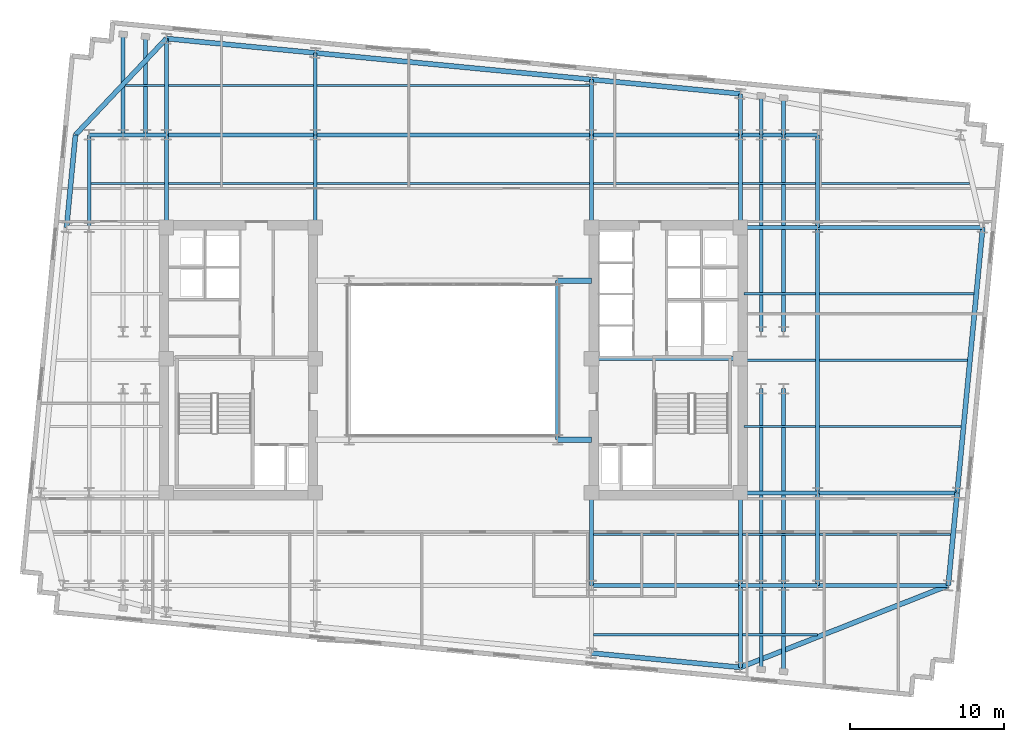
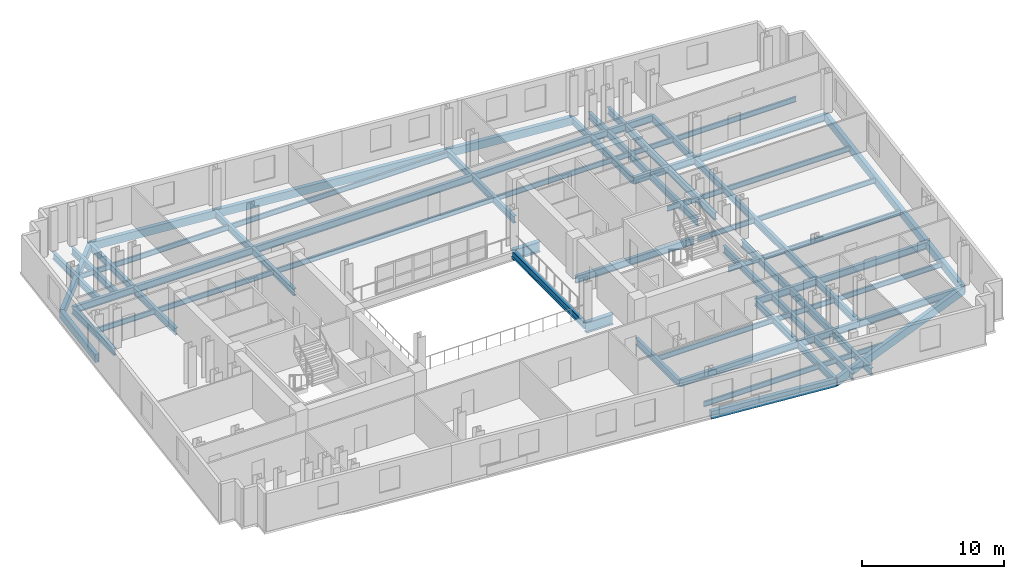
# One storey, part 3 of 10: 70 beams.
"""IFC4 building model written with IfcOpenShell, lengths in metres."""

from ifc_helpers import new_model, si_unit, direction, frame, origin, origin_2d, place, context, subcontext, project, spatial, rectangle, i_section, extrude, material, material_profile, profile_set, type_object, element, save


model = new_model("IFC4")

# Units and contexts
model_context = context("Model", 3, precision=1e-05, world=origin(), true_north=direction((0.0, 1.0)))
body_context = subcontext(model_context, "Body", "Model", "MODEL_VIEW")
ifc_project = project(units=[si_unit("LENGTHUNIT", "METRE"), si_unit("AREAUNIT", "SQUARE_METRE"), si_unit("VOLUMEUNIT", "CUBIC_METRE"), si_unit("PLANEANGLEUNIT", "RADIAN"), si_unit("MASSUNIT", "GRAM", prefix="KILO")], contexts=[model_context])

# Site, building, storey
site_placement = place(None, origin())
site = spatial("IfcSite", under=ifc_project, at=site_placement, CompositionType="ELEMENT")
building_placement = place(site_placement, origin())
building = spatial("IfcBuilding", under=site, at=building_placement, Name="Velakula Bourse", CompositionType="ELEMENT")
storey_placement = place(building_placement, frame((0.0, 0.0, 174.199951171875)))
storey = spatial("IfcBuildingStorey", under=building, at=storey_placement, Name="L47", CompositionType="ELEMENT", Elevation=174.199951171875)

# Beams
ifc_material_1 = material(Name="Steel IS 2062 Grade 350 (E350)", Category="steel")
ifc_material_profile_1 = material_profile(ifc_material_1, i_section(OverallWidth=0.25, OverallDepth=0.60009765625, WebThickness=0.01123046875, FlangeThickness=0.021240234375, at=origin_2d()), Name="Steel IS 2062 Grade 350 (E350)")
ifc_profile_set_1 = profile_set([ifc_material_profile_1], Name="Steel IS 2062 Grade 350 (E350)")
beam_type_1 = type_object("IfcBeamType", Name="BM-GRD-600M", PredefinedType="BEAM", material=ifc_profile_set_1)
beam_1_placement = place(storey_placement, frame((8.949951171875, 0.10009765625, -0.47998046875), z_axis=(1.0, 0.0, 0.0), x_axis=(0.0, 1.0, 0.0)))
element("IfcBeam", 1, at=beam_1_placement, inside=storey, type_object=beam_type_1, Name="L47 Primary Backbone Girder CRE-M", PredefinedType="BEAM", context=body_context, shape_type="SweptSolid", body=[
    extrude(i_section(OverallWidth=0.25, OverallDepth=0.60009765625, WebThickness=0.01123046875, FlangeThickness=0.021240234375, at=origin_2d()), origin(), (0.0, 0.0, 1.0), 9.650146484375),
])
beam_2_placement = place(storey_placement, frame((6.75, -5.14990234375, -0.47998046875), z_axis=(0.0, 1.0, 0.0), x_axis=(-1.0, 0.0, 0.0)))
element("IfcBeam", 2, at=beam_2_placement, inside=storey, type_object=beam_type_1, Name="L47 Primary Backbone Girder SPN-E", PredefinedType="BEAM", context=body_context, shape_type="SweptSolid", body=[
    extrude(i_section(OverallWidth=0.25, OverallDepth=0.60009765625, WebThickness=0.01123046875, FlangeThickness=0.021240234375, at=origin_2d()), origin(), (0.0, 0.0, 1.0), 10.2998046875),
])
for number, where, z_axis, x_axis, name in (
    (3, (-18.60009765625, 8.60009765625, -0.47998046875), (0.0, 1.0, 0.0), (-1.0, 0.0, 0.0), "L47 Fulcrum Grid Girder FLC-WN"),
    (4, (-8.949951171875, 8.60009765625, -0.47998046875), (0.0, 1.0, 0.0), (-1.0, 0.0, 0.0), "L47 Fulcrum Grid Girder FLC-WCN"),
    (5, (8.949951171875, -14.60009765625, -0.47998046875), (0.0, 1.0, 0.0), (-1.0, 0.0, 0.0), "L47 Fulcrum Grid Girder FLC-ECS"),
    (6, (8.949951171875, 8.60009765625, -0.47998046875), (0.0, 1.0, 0.0), (-1.0, 0.0, 0.0), "L47 Fulcrum Grid Girder FLC-ECN"),
    (7, (18.60009765625, -14.60009765625, -0.47998046875), (0.0, 1.0, 0.0), (-1.0, 0.0, 0.0), "L47 Fulcrum Grid Girder FLC-ES"),
    (8, (18.60009765625, 8.60009765625, -0.47998046875), (0.0, 1.0, 0.0), (-1.0, 0.0, 0.0), "L47 Fulcrum Grid Girder FLC-EN"),
):
    element("IfcBeam", number, at=place(storey_placement, frame(where, z_axis=z_axis, x_axis=x_axis)), inside=storey, type_object=beam_type_1, Name=name, PredefinedType="BEAM", context=body_context, shape_type="SweptSolid", body=[
        extrude(i_section(OverallWidth=0.25, OverallDepth=0.60009765625, WebThickness=0.01123046875, FlangeThickness=0.021240234375, at=origin_2d()), origin(), (0.0, 0.0, 1.0), 6.0),
    ])
for number, where, z_axis, x_axis, name in (
    (9, (8.949951171875, -14.60009765625, -0.47998046875), (1.0, 0.0, 0.0), (0.0, 1.0, 0.0), "L47 Fulcrum Grid Girder FLC-S3"),
    (10, (-18.60009765625, 14.60009765625, -0.47998046875), (1.0, 0.0, 0.0), (0.0, 1.0, 0.0), "L47 Fulcrum Grid Girder FLC-N1"),
):
    element("IfcBeam", number, at=place(storey_placement, frame(where, z_axis=z_axis, x_axis=x_axis)), inside=storey, type_object=beam_type_1, Name=name, PredefinedType="BEAM", context=body_context, shape_type="SweptSolid", body=[
        extrude(i_section(OverallWidth=0.25, OverallDepth=0.60009765625, WebThickness=0.01123046875, FlangeThickness=0.021240234375, at=origin_2d()), origin(), (0.0, 0.0, 1.0), 9.650146484375),
    ])
beam_3_placement = place(storey_placement, frame((-8.949951171875, 14.60009765625, -0.47998046875), z_axis=(1.0, 0.0, 0.0), x_axis=(0.0, 1.0, 0.0)))
element("IfcBeam", 11, at=beam_3_placement, inside=storey, type_object=beam_type_1, Name="L47 Fulcrum Grid Girder FLC-N2", PredefinedType="BEAM", context=body_context, shape_type="SweptSolid", body=[
    extrude(i_section(OverallWidth=0.25, OverallDepth=0.60009765625, WebThickness=0.01123046875, FlangeThickness=0.021240234375, at=origin_2d()), origin(), (0.0, 0.0, 1.0), 17.89990234375),
])
beam_4_placement = place(storey_placement, frame((8.949951171875, 14.60009765625, -0.47998046875), z_axis=(1.0, 0.0, 0.0), x_axis=(0.0, 1.0, 0.0)))
element("IfcBeam", 12, at=beam_4_placement, inside=storey, type_object=beam_type_1, Name="L47 Fulcrum Grid Girder FLC-N3", PredefinedType="BEAM", context=body_context, shape_type="SweptSolid", body=[
    extrude(i_section(OverallWidth=0.25, OverallDepth=0.60009765625, WebThickness=0.01123046875, FlangeThickness=0.021240234375, at=origin_2d()), origin(), (0.0, 0.0, 1.0), 9.650146484375),
])
for number, where, z_axis, x_axis, name in (
    (13, (19.949951171875, -14.60009765625, -0.47998046875), (0.0, 1.0, 0.0), (-1.0, 0.0, 0.0), "L47 Fulcrum Grid Girder FLC-PSE1"),
    (14, (19.949951171875, 1.85009765625, -0.47998046875), (0.0, 1.0, 0.0), (-1.0, 0.0, 0.0), "L47 Fulcrum Grid Girder FLC-PNE1"),
    (15, (21.39990234375, -14.60009765625, -0.47998046875), (0.0, 1.0, 0.0), (-1.0, 0.0, 0.0), "L47 Fulcrum Grid Girder FLC-PSE2"),
    (16, (21.39990234375, 1.85009765625, -0.47998046875), (0.0, 1.0, 0.0), (-1.0, 0.0, 0.0), "L47 Fulcrum Grid Girder FLC-PNE2"),
):
    element("IfcBeam", number, at=place(storey_placement, frame(where, z_axis=z_axis, x_axis=x_axis)), inside=storey, type_object=beam_type_1, Name=name, PredefinedType="BEAM", context=body_context, shape_type="SweptSolid", body=[
        extrude(i_section(OverallWidth=0.25, OverallDepth=0.60009765625, WebThickness=0.01123046875, FlangeThickness=0.021240234375, at=origin_2d()), origin(), (0.0, 0.0, 1.0), 12.75),
    ])
beam_5_placement = place(storey_placement, frame((-23.60009765625, 14.60009765625, -0.47998046875), z_axis=(1.0, 0.0, 0.0), x_axis=(0.0, 1.0, 0.0)))
element("IfcBeam", 17, at=beam_5_placement, inside=storey, type_object=beam_type_1, Name="L47 Fulcrum Grid Girder MWG-WN2", PredefinedType="BEAM", context=body_context, shape_type="SweptSolid", body=[
    extrude(i_section(OverallWidth=0.25, OverallDepth=0.60009765625, WebThickness=0.01123046875, FlangeThickness=0.021240234375, at=origin_2d()), origin(), (0.0, 0.0, 1.0), 5.0),
])
beam_6_placement = place(storey_placement, frame((-23.60009765625, 8.60009765625, -0.47998046875), z_axis=(0.0, 1.0, 0.0), x_axis=(-1.0, 0.0, 0.0)))
element("IfcBeam", 18, at=beam_6_placement, inside=storey, type_object=beam_type_1, Name="L47 Fulcrum Grid Girder MWG-WNS3", PredefinedType="BEAM", context=body_context, shape_type="SweptSolid", body=[
    extrude(i_section(OverallWidth=0.25, OverallDepth=0.60009765625, WebThickness=0.01123046875, FlangeThickness=0.021240234375, at=origin_2d()), origin(), (0.0, 0.0, 1.0), 6.0),
])
for number, where, z_axis, x_axis, name in (
    (19, (18.60009765625, -14.60009765625, -0.47998046875), (1.0, 0.0, 0.0), (0.0, 1.0, 0.0), "L47 Fulcrum Grid Girder MWG-ES1"),
    (20, (18.60009765625, -8.60009765625, -0.47998046875), (1.0, 0.0, 0.0), (0.0, 1.0, 0.0), "L47 Fulcrum Grid Girder MWG-ES2"),
    (21, (18.60009765625, 8.60009765625, -0.47998046875), (1.0, 0.0, 0.0), (0.0, 1.0, 0.0), "L47 Fulcrum Grid Girder MWG-EN1"),
    (22, (18.60009765625, 14.60009765625, -0.47998046875), (1.0, 0.0, 0.0), (0.0, 1.0, 0.0), "L47 Fulcrum Grid Girder MWG-EN2"),
):
    element("IfcBeam", number, at=place(storey_placement, frame(where, z_axis=z_axis, x_axis=x_axis)), inside=storey, type_object=beam_type_1, Name=name, PredefinedType="BEAM", context=body_context, shape_type="SweptSolid", body=[
        extrude(i_section(OverallWidth=0.25, OverallDepth=0.60009765625, WebThickness=0.01123046875, FlangeThickness=0.021240234375, at=origin_2d()), origin(), (0.0, 0.0, 1.0), 5.0),
    ])
beam_7_placement = place(storey_placement, frame((23.60009765625, -14.60009765625, -0.47998046875), z_axis=(0.0, 1.0, 0.0), x_axis=(-1.0, 0.0, 0.0)))
element("IfcBeam", 23, at=beam_7_placement, inside=storey, type_object=beam_type_1, Name="L47 Fulcrum Grid Girder MWG-ENS1", PredefinedType="BEAM", context=body_context, shape_type="SweptSolid", body=[
    extrude(i_section(OverallWidth=0.25, OverallDepth=0.60009765625, WebThickness=0.01123046875, FlangeThickness=0.021240234375, at=origin_2d()), origin(), (0.0, 0.0, 1.0), 6.0),
])
beam_8_placement = place(storey_placement, frame((23.60009765625, -8.60009765625, -0.47998046875), z_axis=(0.0, 1.0, 0.0), x_axis=(-1.0, 0.0, 0.0)))
element("IfcBeam", 24, at=beam_8_placement, inside=storey, type_object=beam_type_1, Name="L47 Fulcrum Grid Girder MWG-ENS2", PredefinedType="BEAM", context=body_context, shape_type="SweptSolid", body=[
    extrude(i_section(OverallWidth=0.25, OverallDepth=0.60009765625, WebThickness=0.01123046875, FlangeThickness=0.021240234375, at=origin_2d()), origin(), (0.0, 0.0, 1.0), 17.2001953125),
])
beam_9_placement = place(storey_placement, frame((23.60009765625, 8.60009765625, -0.47998046875), z_axis=(0.0, 1.0, 0.0), x_axis=(-1.0, 0.0, 0.0)))
element("IfcBeam", 25, at=beam_9_placement, inside=storey, type_object=beam_type_1, Name="L47 Fulcrum Grid Girder MWG-ENS3", PredefinedType="BEAM", context=body_context, shape_type="SweptSolid", body=[
    extrude(i_section(OverallWidth=0.25, OverallDepth=0.60009765625, WebThickness=0.01123046875, FlangeThickness=0.021240234375, at=origin_2d()), origin(), (0.0, 0.0, 1.0), 6.0),
])
beam_10_placement = place(storey_placement, frame((18.60009765625, -14.60009765625, -0.47998046875), z_axis=(0.0, -1.0, 0.0), x_axis=(1.0, 0.0, 0.0)))
element("IfcBeam", 26, at=beam_10_placement, inside=storey, type_object=beam_type_1, Name="L47 Perimeter Tie Girder S4", PredefinedType="BEAM", context=body_context, shape_type="SweptSolid", body=[
    extrude(i_section(OverallWidth=0.25, OverallDepth=0.60009765625, WebThickness=0.01123046875, FlangeThickness=0.021240234375, at=origin_2d()), origin(), (0.0, 0.0, 1.0), 5.310546875),
])
beam_11_placement = place(storey_placement, frame((-18.60009765625, 14.60009765625, -0.47998046875), z_axis=(0.0, 1.0, 0.0), x_axis=(-1.0, 0.0, 0.0)))
element("IfcBeam", 27, at=beam_11_placement, inside=storey, type_object=beam_type_1, Name="L47 Perimeter Tie Girder N1", PredefinedType="BEAM", context=body_context, shape_type="SweptSolid", body=[
    extrude(i_section(OverallWidth=0.25, OverallDepth=0.60009765625, WebThickness=0.01123046875, FlangeThickness=0.021240234375, at=origin_2d()), origin(), (0.0, 0.0, 1.0), 6.2421875),
])
beam_12_placement = place(storey_placement, frame((-8.949951171875, 14.60009765625, -0.47998046875), z_axis=(0.0, 1.0, 0.0), x_axis=(-1.0, 0.0, 0.0)))
element("IfcBeam", 28, at=beam_12_placement, inside=storey, type_object=beam_type_1, Name="L47 Perimeter Tie Girder N2", PredefinedType="BEAM", context=body_context, shape_type="SweptSolid", body=[
    extrude(i_section(OverallWidth=0.25, OverallDepth=0.60009765625, WebThickness=0.01123046875, FlangeThickness=0.021240234375, at=origin_2d()), origin(), (0.0, 0.0, 1.0), 5.31298828125),
])
beam_13_placement = place(storey_placement, frame((8.949951171875, 14.60009765625, -0.47998046875), z_axis=(0.0, 1.0, 0.0), x_axis=(-1.0, 0.0, 0.0)))
element("IfcBeam", 29, at=beam_13_placement, inside=storey, type_object=beam_type_1, Name="L47 Perimeter Tie Girder N3", PredefinedType="BEAM", context=body_context, shape_type="SweptSolid", body=[
    extrude(i_section(OverallWidth=0.25, OverallDepth=0.60009765625, WebThickness=0.01123046875, FlangeThickness=0.021240234375, at=origin_2d()), origin(), (0.0, 0.0, 1.0), 3.589599609375),
])
beam_14_placement = place(storey_placement, frame((18.60009765625, 14.60009765625, -0.47998046875), z_axis=(0.0, 1.0, 0.0), x_axis=(-1.0, 0.0, 0.0)))
element("IfcBeam", 30, at=beam_14_placement, inside=storey, type_object=beam_type_1, Name="L47 Perimeter Tie Girder N4", PredefinedType="BEAM", context=body_context, shape_type="SweptSolid", body=[
    extrude(i_section(OverallWidth=0.25, OverallDepth=0.60009765625, WebThickness=0.01123046875, FlangeThickness=0.021240234375, at=origin_2d()), origin(), (0.0, 0.0, 1.0), 2.660400390625),
])
beam_15_placement = place(storey_placement, frame((23.60009765625, -14.60009765625, -0.47998046875), z_axis=(1.0, 0.0, 0.0), x_axis=(0.0, 1.0, 0.0)))
element("IfcBeam", 31, at=beam_15_placement, inside=storey, type_object=beam_type_1, Name="L47 Perimeter Tie Girder E1", PredefinedType="BEAM", context=body_context, shape_type="SweptSolid", body=[
    extrude(i_section(OverallWidth=0.25, OverallDepth=0.60009765625, WebThickness=0.01123046875, FlangeThickness=0.021240234375, at=origin_2d()), origin(), (0.0, 0.0, 1.0), 8.47119140625),
])
beam_16_placement = place(storey_placement, frame((23.60009765625, -8.60009765625, -0.47998046875), z_axis=(1.0, 0.0, 0.0), x_axis=(0.0, 1.0, 0.0)))
element("IfcBeam", 32, at=beam_16_placement, inside=storey, type_object=beam_type_1, Name="L47 Perimeter Tie Girder E2", PredefinedType="BEAM", context=body_context, shape_type="SweptSolid", body=[
    extrude(i_section(OverallWidth=0.25, OverallDepth=0.60009765625, WebThickness=0.01123046875, FlangeThickness=0.021240234375, at=origin_2d()), origin(), (0.0, 0.0, 1.0), 9.048828125),
])
beam_17_placement = place(storey_placement, frame((23.60009765625, 8.60009765625, -0.47998046875), z_axis=(1.0, 0.0, 0.0), x_axis=(0.0, 1.0, 0.0)))
element("IfcBeam", 33, at=beam_17_placement, inside=storey, type_object=beam_type_1, Name="L47 Perimeter Tie Girder E3", PredefinedType="BEAM", context=body_context, shape_type="SweptSolid", body=[
    extrude(i_section(OverallWidth=0.25, OverallDepth=0.60009765625, WebThickness=0.01123046875, FlangeThickness=0.021240234375, at=origin_2d()), origin(), (0.0, 0.0, 1.0), 10.705078125),
])
beam_18_placement = place(storey_placement, frame((19.949951171875, -14.60009765625, -0.47998046875), z_axis=(0.0, -1.0, 0.0), x_axis=(1.0, 0.0, 0.0)))
element("IfcBeam", 34, at=beam_18_placement, inside=storey, type_object=beam_type_1, Name="L47 Perimeter Tie Girder P03", PredefinedType="BEAM", context=body_context, shape_type="SweptSolid", body=[
    extrude(i_section(OverallWidth=0.25, OverallDepth=0.60009765625, WebThickness=0.01123046875, FlangeThickness=0.021240234375, at=origin_2d()), origin(), (0.0, 0.0, 1.0), 5.4404296875),
])
beam_19_placement = place(storey_placement, frame((21.39990234375, -14.60009765625, -0.47998046875), z_axis=(0.0, -1.0, 0.0), x_axis=(1.0, 0.0, 0.0)))
element("IfcBeam", 35, at=beam_19_placement, inside=storey, type_object=beam_type_1, Name="L47 Perimeter Tie Girder P04", PredefinedType="BEAM", context=body_context, shape_type="SweptSolid", body=[
    extrude(i_section(OverallWidth=0.25, OverallDepth=0.60009765625, WebThickness=0.01123046875, FlangeThickness=0.021240234375, at=origin_2d()), origin(), (0.0, 0.0, 1.0), 5.580322265625),
])
beam_20_placement = place(storey_placement, frame((-21.39990234375, 14.60009765625, -0.47998046875), z_axis=(0.0, 1.0, 0.0), x_axis=(-1.0, 0.0, 0.0)))
element("IfcBeam", 36, at=beam_20_placement, inside=storey, type_object=beam_type_1, Name="L47 Perimeter Tie Girder P05", PredefinedType="BEAM", context=body_context, shape_type="SweptSolid", body=[
    extrude(i_section(OverallWidth=0.25, OverallDepth=0.60009765625, WebThickness=0.01123046875, FlangeThickness=0.021240234375, at=origin_2d()), origin(), (0.0, 0.0, 1.0), 6.511962890625),
])
beam_21_placement = place(storey_placement, frame((-19.949951171875, 14.60009765625, -0.47998046875), z_axis=(0.0, 1.0, 0.0), x_axis=(-1.0, 0.0, 0.0)))
element("IfcBeam", 37, at=beam_21_placement, inside=storey, type_object=beam_type_1, Name="L47 Perimeter Tie Girder P06", PredefinedType="BEAM", context=body_context, shape_type="SweptSolid", body=[
    extrude(i_section(OverallWidth=0.25, OverallDepth=0.60009765625, WebThickness=0.01123046875, FlangeThickness=0.021240234375, at=origin_2d()), origin(), (0.0, 0.0, 1.0), 6.372314453125),
])
beam_22_placement = place(storey_placement, frame((19.949951171875, 14.60009765625, -0.47998046875), z_axis=(0.0, 1.0, 0.0), x_axis=(-1.0, 0.0, 0.0)))
element("IfcBeam", 38, at=beam_22_placement, inside=storey, type_object=beam_type_1, Name="L47 Perimeter Tie Girder P07", PredefinedType="BEAM", context=body_context, shape_type="SweptSolid", body=[
    extrude(i_section(OverallWidth=0.25, OverallDepth=0.60009765625, WebThickness=0.01123046875, FlangeThickness=0.021240234375, at=origin_2d()), origin(), (0.0, 0.0, 1.0), 2.530517578125),
])
beam_23_placement = place(storey_placement, frame((21.39990234375, 14.60009765625, -0.47998046875), z_axis=(0.0, 1.0, 0.0), x_axis=(-1.0, 0.0, 0.0)))
element("IfcBeam", 39, at=beam_23_placement, inside=storey, type_object=beam_type_1, Name="L47 Perimeter Tie Girder P08", PredefinedType="BEAM", context=body_context, shape_type="SweptSolid", body=[
    extrude(i_section(OverallWidth=0.25, OverallDepth=0.60009765625, WebThickness=0.01123046875, FlangeThickness=0.021240234375, at=origin_2d()), origin(), (0.0, 0.0, 1.0), 2.390869140625),
])
ifc_material_profile_2 = material_profile(ifc_material_1, i_section(OverallWidth=0.35009765625, OverallDepth=0.89990234375, WebThickness=0.02001953125, FlangeThickness=0.031982421875, at=origin_2d()), Name="Steel IS 2062 Grade 350 (E350)")
ifc_profile_set_2 = profile_set([ifc_material_profile_2], Name="Steel IS 2062 Grade 350 (E350)")
beam_type_2 = type_object("IfcBeamType", Name="BM-LNK-900", PredefinedType="BEAM", material=ifc_profile_set_2)
for number, where, z_axis, x_axis, name in (
    (40, (6.75, -5.14990234375, -0.6298828125), (1.0, 0.0, 0.0), (0.0, 1.0, 0.0), "L47 Primary Backbone Girder LNK-S3"),
    (41, (6.75, 5.14990234375, -0.6298828125), (1.0, 0.0, 0.0), (0.0, 1.0, 0.0), "L47 Primary Backbone Girder LNK-N3"),
):
    element("IfcBeam", number, at=place(storey_placement, frame(where, z_axis=z_axis, x_axis=x_axis)), inside=storey, type_object=beam_type_2, Name=name, PredefinedType="BEAM", context=body_context, shape_type="SweptSolid", body=[
        extrude(i_section(OverallWidth=0.35009765625, OverallDepth=0.89990234375, WebThickness=0.02001953125, FlangeThickness=0.031982421875, at=origin_2d()), origin(), (0.0, 0.0, 1.0), 2.199951171875),
    ])
ifc_material_profile_3 = material_profile(ifc_material_1, i_section(OverallWidth=0.14990234375, OverallDepth=0.449951171875, WebThickness=0.009521484375, FlangeThickness=0.017333984375, at=origin_2d()), Name="Steel IS 2062 Grade 350 (E350)")
ifc_profile_set_3 = profile_set([ifc_material_profile_3], Name="Steel IS 2062 Grade 350 (E350)")
beam_type_3 = type_object("IfcBeamType", Name="JST-TWR-450", PredefinedType="JOIST", material=ifc_profile_set_3)
beam_24_placement = place(storey_placement, frame((9.074951171875, -17.800048828125, -0.405029296875), z_axis=(1.0, 0.0, 0.0), x_axis=(0.0, 1.0, 0.0)))
element("IfcBeam", 42, at=beam_24_placement, inside=storey, type_object=beam_type_3, Name="L47 Trading Floor Composite Joist 02", PredefinedType="JOIST", context=body_context, shape_type="SweptSolid", body=[
    extrude(i_section(OverallWidth=0.14990234375, OverallDepth=0.449951171875, WebThickness=0.009521484375, FlangeThickness=0.017333984375, at=origin_2d()), origin(), (0.0, 0.0, 1.0), 9.400146484375),
])
beam_25_placement = place(storey_placement, frame((18.72509765625, -17.800048828125, -0.405029296875), z_axis=(1.0, 0.0, 0.0), x_axis=(0.0, 1.0, 0.0)))
element("IfcBeam", 43, at=beam_25_placement, inside=storey, type_object=beam_type_3, Name="L47 Trading Floor Composite Joist 03", PredefinedType="JOIST", context=body_context, shape_type="SweptSolid", body=[
    extrude(i_section(OverallWidth=0.14990234375, OverallDepth=0.449951171875, WebThickness=0.009521484375, FlangeThickness=0.017333984375, at=origin_2d()), origin(), (0.0, 0.0, 1.0), 4.875),
])
beam_26_placement = place(storey_placement, frame((9.074951171875, -11.300048828125, -0.405029296875), z_axis=(1.0, 0.0, 0.0), x_axis=(0.0, 1.0, 0.0)))
element("IfcBeam", 44, at=beam_26_placement, inside=storey, type_object=beam_type_3, Name="L47 Trading Floor Composite Joist 08", PredefinedType="JOIST", context=body_context, shape_type="SweptSolid", body=[
    extrude(i_section(OverallWidth=0.14990234375, OverallDepth=0.449951171875, WebThickness=0.009521484375, FlangeThickness=0.017333984375, at=origin_2d()), origin(), (0.0, 0.0, 1.0), 9.400146484375),
])
beam_27_placement = place(storey_placement, frame((18.72509765625, -11.300048828125, -0.405029296875), z_axis=(1.0, 0.0, 0.0), x_axis=(0.0, 1.0, 0.0)))
element("IfcBeam", 45, at=beam_27_placement, inside=storey, type_object=beam_type_3, Name="L47 Trading Floor Composite Joist 09", PredefinedType="JOIST", context=body_context, shape_type="SweptSolid", body=[
    extrude(i_section(OverallWidth=0.14990234375, OverallDepth=0.449951171875, WebThickness=0.009521484375, FlangeThickness=0.017333984375, at=origin_2d()), origin(), (0.0, 0.0, 1.0), 4.75),
])
beam_28_placement = place(storey_placement, frame((23.72509765625, -11.300048828125, -0.405029296875), z_axis=(1.0, 0.0, 0.0), x_axis=(0.0, 1.0, 0.0)))
element("IfcBeam", 46, at=beam_28_placement, inside=storey, type_object=beam_type_3, Name="L47 Trading Floor Composite Joist 10", PredefinedType="JOIST", context=body_context, shape_type="SweptSolid", body=[
    extrude(i_section(OverallWidth=0.14990234375, OverallDepth=0.449951171875, WebThickness=0.009521484375, FlangeThickness=0.017333984375, at=origin_2d()), origin(), (0.0, 0.0, 1.0), 8.503173828125),
])
beam_29_placement = place(storey_placement, frame((-23.47509765625, 11.449951171875, -0.405029296875), z_axis=(1.0, 0.0, 0.0), x_axis=(0.0, 1.0, 0.0)))
element("IfcBeam", 47, at=beam_29_placement, inside=storey, type_object=beam_type_3, Name="L47 Trading Floor Composite Joist 11", PredefinedType="JOIST", context=body_context, shape_type="SweptSolid", body=[
    extrude(i_section(OverallWidth=0.14990234375, OverallDepth=0.449951171875, WebThickness=0.009521484375, FlangeThickness=0.017333984375, at=origin_2d()), origin(), (0.0, 0.0, 1.0), 4.75),
])
beam_30_placement = place(storey_placement, frame((-18.47509765625, 11.449951171875, -0.405029296875), z_axis=(1.0, 0.0, 0.0), x_axis=(0.0, 1.0, 0.0)))
element("IfcBeam", 48, at=beam_30_placement, inside=storey, type_object=beam_type_3, Name="L47 Trading Floor Composite Joist 12", PredefinedType="JOIST", context=body_context, shape_type="SweptSolid", body=[
    extrude(i_section(OverallWidth=0.14990234375, OverallDepth=0.449951171875, WebThickness=0.009521484375, FlangeThickness=0.017333984375, at=origin_2d()), origin(), (0.0, 0.0, 1.0), 9.400146484375),
])
beam_31_placement = place(storey_placement, frame((-8.824951171875, 11.449951171875, -0.405029296875), z_axis=(1.0, 0.0, 0.0), x_axis=(0.0, 1.0, 0.0)))
element("IfcBeam", 49, at=beam_31_placement, inside=storey, type_object=beam_type_3, Name="L47 Trading Floor Composite Joist 13", PredefinedType="JOIST", context=body_context, shape_type="SweptSolid", body=[
    extrude(i_section(OverallWidth=0.14990234375, OverallDepth=0.449951171875, WebThickness=0.009521484375, FlangeThickness=0.017333984375, at=origin_2d()), origin(), (0.0, 0.0, 1.0), 17.64990234375),
])
beam_32_placement = place(storey_placement, frame((9.074951171875, 11.449951171875, -0.405029296875), z_axis=(1.0, 0.0, 0.0), x_axis=(0.0, 1.0, 0.0)))
element("IfcBeam", 50, at=beam_32_placement, inside=storey, type_object=beam_type_3, Name="L47 Trading Floor Composite Joist 14", PredefinedType="JOIST", context=body_context, shape_type="SweptSolid", body=[
    extrude(i_section(OverallWidth=0.14990234375, OverallDepth=0.449951171875, WebThickness=0.009521484375, FlangeThickness=0.017333984375, at=origin_2d()), origin(), (0.0, 0.0, 1.0), 9.400146484375),
])
beam_33_placement = place(storey_placement, frame((18.72509765625, 11.449951171875, -0.405029296875), z_axis=(1.0, 0.0, 0.0), x_axis=(0.0, 1.0, 0.0)))
element("IfcBeam", 51, at=beam_33_placement, inside=storey, type_object=beam_type_3, Name="L47 Trading Floor Composite Joist 15", PredefinedType="JOIST", context=body_context, shape_type="SweptSolid", body=[
    extrude(i_section(OverallWidth=0.14990234375, OverallDepth=0.449951171875, WebThickness=0.009521484375, FlangeThickness=0.017333984375, at=origin_2d()), origin(), (0.0, 0.0, 1.0), 4.75),
])
beam_34_placement = place(storey_placement, frame((23.72509765625, 11.449951171875, -0.405029296875), z_axis=(1.0, 0.0, 0.0), x_axis=(0.0, 1.0, 0.0)))
element("IfcBeam", 52, at=beam_34_placement, inside=storey, type_object=beam_type_3, Name="L47 Trading Floor Composite Joist 16", PredefinedType="JOIST", context=body_context, shape_type="SweptSolid", body=[
    extrude(i_section(OverallWidth=0.14990234375, OverallDepth=0.449951171875, WebThickness=0.009521484375, FlangeThickness=0.017333984375, at=origin_2d()), origin(), (0.0, 0.0, 1.0), 9.735595703125),
])
beam_35_placement = place(storey_placement, frame((-21.2509765625, 17.800048828125, -0.405029296875), z_axis=(1.0, 0.0, 0.0), x_axis=(0.0, 1.0, 0.0)))
element("IfcBeam", 53, at=beam_35_placement, inside=storey, type_object=beam_type_3, Name="L47 Trading Floor Composite Joist 17", PredefinedType="JOIST", context=body_context, shape_type="SweptSolid", body=[
    extrude(i_section(OverallWidth=0.14990234375, OverallDepth=0.449951171875, WebThickness=0.009521484375, FlangeThickness=0.017333984375, at=origin_2d()), origin(), (0.0, 0.0, 1.0), 2.52587890625),
])
beam_36_placement = place(storey_placement, frame((-18.47509765625, 17.800048828125, -0.405029296875), z_axis=(1.0, 0.0, 0.0), x_axis=(0.0, 1.0, 0.0)))
element("IfcBeam", 54, at=beam_36_placement, inside=storey, type_object=beam_type_3, Name="L47 Trading Floor Composite Joist 18", PredefinedType="JOIST", context=body_context, shape_type="SweptSolid", body=[
    extrude(i_section(OverallWidth=0.14990234375, OverallDepth=0.449951171875, WebThickness=0.009521484375, FlangeThickness=0.017333984375, at=origin_2d()), origin(), (0.0, 0.0, 1.0), 9.400146484375),
])
beam_37_placement = place(storey_placement, frame((-8.824951171875, 17.800048828125, -0.405029296875), z_axis=(1.0, 0.0, 0.0), x_axis=(0.0, 1.0, 0.0)))
element("IfcBeam", 55, at=beam_37_placement, inside=storey, type_object=beam_type_3, Name="L47 Trading Floor Composite Joist 19", PredefinedType="JOIST", context=body_context, shape_type="SweptSolid", body=[
    extrude(i_section(OverallWidth=0.14990234375, OverallDepth=0.449951171875, WebThickness=0.009521484375, FlangeThickness=0.017333984375, at=origin_2d()), origin(), (0.0, 0.0, 1.0), 17.64990234375),
])
beam_38_placement = place(storey_placement, frame((18.85009765625, -4.300048828125, -0.405029296875), z_axis=(1.0, 0.0, 0.0), x_axis=(0.0, 1.0, 0.0)))
element("IfcBeam", 56, at=beam_38_placement, inside=storey, type_object=beam_type_3, Name="L47 Trading Floor Composite Joist 23", PredefinedType="JOIST", context=body_context, shape_type="SweptSolid", body=[
    extrude(i_section(OverallWidth=0.14990234375, OverallDepth=0.449951171875, WebThickness=0.009521484375, FlangeThickness=0.017333984375, at=origin_2d()), origin(), (0.0, 0.0, 1.0), 4.625),
])
beam_39_placement = place(storey_placement, frame((23.72509765625, -4.300048828125, -0.405029296875), z_axis=(1.0, 0.0, 0.0), x_axis=(0.0, 1.0, 0.0)))
element("IfcBeam", 57, at=beam_39_placement, inside=storey, type_object=beam_type_3, Name="L47 Trading Floor Composite Joist 24", PredefinedType="JOIST", context=body_context, shape_type="SweptSolid", body=[
    extrude(i_section(OverallWidth=0.14990234375, OverallDepth=0.449951171875, WebThickness=0.009521484375, FlangeThickness=0.017333984375, at=origin_2d()), origin(), (0.0, 0.0, 1.0), 9.17724609375),
])
beam_40_placement = place(storey_placement, frame((18.85009765625, 0.0, -0.405029296875), z_axis=(1.0, 0.0, 0.0), x_axis=(0.0, 1.0, 0.0)))
element("IfcBeam", 58, at=beam_40_placement, inside=storey, type_object=beam_type_3, Name="L47 Trading Floor Composite Joist 27", PredefinedType="JOIST", context=body_context, shape_type="SweptSolid", body=[
    extrude(i_section(OverallWidth=0.14990234375, OverallDepth=0.449951171875, WebThickness=0.009521484375, FlangeThickness=0.017333984375, at=origin_2d()), origin(), (0.0, 0.0, 1.0), 4.625),
])
beam_41_placement = place(storey_placement, frame((23.72509765625, 0.0, -0.405029296875), z_axis=(1.0, 0.0, 0.0), x_axis=(0.0, 1.0, 0.0)))
element("IfcBeam", 59, at=beam_41_placement, inside=storey, type_object=beam_type_3, Name="L47 Trading Floor Composite Joist 28", PredefinedType="JOIST", context=body_context, shape_type="SweptSolid", body=[
    extrude(i_section(OverallWidth=0.14990234375, OverallDepth=0.449951171875, WebThickness=0.009521484375, FlangeThickness=0.017333984375, at=origin_2d()), origin(), (0.0, 0.0, 1.0), 9.59130859375),
])
beam_42_placement = place(storey_placement, frame((18.85009765625, 4.300048828125, -0.405029296875), z_axis=(1.0, 0.0, 0.0), x_axis=(0.0, 1.0, 0.0)))
element("IfcBeam", 60, at=beam_42_placement, inside=storey, type_object=beam_type_3, Name="L47 Trading Floor Composite Joist 30", PredefinedType="JOIST", context=body_context, shape_type="SweptSolid", body=[
    extrude(i_section(OverallWidth=0.14990234375, OverallDepth=0.449951171875, WebThickness=0.009521484375, FlangeThickness=0.017333984375, at=origin_2d()), origin(), (0.0, 0.0, 1.0), 4.625),
])
beam_43_placement = place(storey_placement, frame((23.72509765625, 4.300048828125, -0.405029296875), z_axis=(1.0, 0.0, 0.0), x_axis=(0.0, 1.0, 0.0)))
element("IfcBeam", 61, at=beam_43_placement, inside=storey, type_object=beam_type_3, Name="L47 Trading Floor Composite Joist 31", PredefinedType="JOIST", context=body_context, shape_type="SweptSolid", body=[
    extrude(i_section(OverallWidth=0.14990234375, OverallDepth=0.449951171875, WebThickness=0.009521484375, FlangeThickness=0.017333984375, at=origin_2d()), origin(), (0.0, 0.0, 1.0), 10.005126953125),
])
ifc_material_2 = material(Name="Precast concrete M45 (fck 45 MPa)", Category="concrete")
ifc_material_profile_4 = material_profile(ifc_material_2, rectangle(XDim=0.320068359375, YDim=0.679931640625, at=origin_2d()), Name="Precast concrete M45 (fck 45 MPa)")
ifc_profile_set_4 = profile_set([ifc_material_profile_4], Name="Precast concrete M45 (fck 45 MPa)")
beam_type_4 = type_object("IfcBeamType", Name="SPN-BRICK-680", PredefinedType="SPANDREL", material=ifc_profile_set_4)
for number, where, z_axis, x_axis, name in (
    (62, (8.949951171875, -18.9814453125, -0.52001953125), (0.99539623971, -0.095845323155, 0.0), (0.095845323155, 0.99539623971, 0.0), "L47 Brick-Faced Precast Spandrel S3-S4"),
    (63, (-18.60009765625, 20.84228515625, -0.52001953125), (0.99539623971, -0.095845323155, 0.0), (0.095845323155, 0.99539623971, 0.0), "L47 Brick-Faced Precast Spandrel N1-N2"),
):
    element("IfcBeam", number, at=place(storey_placement, frame(where, z_axis=z_axis, x_axis=x_axis)), inside=storey, type_object=beam_type_4, Name=name, PredefinedType="SPANDREL", context=body_context, shape_type="SweptSolid", body=[
        extrude(rectangle(XDim=0.320068359375, YDim=0.679931640625, at=origin_2d()), origin(), (0.0, 0.0, 1.0), 9.69482421875),
    ])
beam_44_placement = place(storey_placement, frame((-8.949951171875, 19.9130859375, -0.52001953125), z_axis=(0.995397131467, -0.095836061418, 0.0), x_axis=(0.095836061418, 0.995397131467, 0.0)))
element("IfcBeam", 64, at=beam_44_placement, inside=storey, type_object=beam_type_4, Name="L47 Brick-Faced Precast Spandrel N2-N3", PredefinedType="SPANDREL", context=body_context, shape_type="SweptSolid", body=[
    extrude(rectangle(XDim=0.320068359375, YDim=0.679931640625, at=origin_2d()), origin(), (0.0, 0.0, 1.0), 17.982666015625),
])
beam_45_placement = place(storey_placement, frame((8.949951171875, 18.189697265625, -0.52001953125), z_axis=(0.99539623971, -0.095845323155, 0.0), x_axis=(0.095845323155, 0.99539623971, 0.0)))
element("IfcBeam", 65, at=beam_45_placement, inside=storey, type_object=beam_type_4, Name="L47 Brick-Faced Precast Spandrel N3-N4", PredefinedType="SPANDREL", context=body_context, shape_type="SweptSolid", body=[
    extrude(rectangle(XDim=0.320068359375, YDim=0.679931640625, at=origin_2d()), origin(), (0.0, 0.0, 1.0), 9.69482421875),
])
for number, where, z_axis, x_axis, name in (
    (66, (-25.068115234375, 8.60009765625, -0.52001953125), (0.095829714309, 0.995397742541, 0.0), (-0.995397742541, 0.095829714309, 0.0), "L47 Brick-Faced Precast Spandrel W3-W4"),
    (67, (32.0712890625, -14.60009765625, -0.52001953125), (0.095829714309, 0.995397742541, 0.0), (-0.995397742541, 0.095829714309, 0.0), "L47 Brick-Faced Precast Spandrel E1-E2"),
):
    element("IfcBeam", number, at=place(storey_placement, frame(where, z_axis=z_axis, x_axis=x_axis)), inside=storey, type_object=beam_type_4, Name=name, PredefinedType="SPANDREL", context=body_context, shape_type="SweptSolid", body=[
        extrude(rectangle(XDim=0.320068359375, YDim=0.679931640625, at=origin_2d()), origin(), (0.0, 0.0, 1.0), 6.02783203125),
    ])
beam_46_placement = place(storey_placement, frame((32.64892578125, -8.60009765625, -0.52001953125), z_axis=(0.095849167925, 0.995395869495, 0.0), x_axis=(-0.995395869495, 0.095849167925, 0.0)))
element("IfcBeam", 68, at=beam_46_placement, inside=storey, type_object=beam_type_4, Name="L47 Brick-Faced Precast Spandrel E2-E3", PredefinedType="SPANDREL", context=body_context, shape_type="SweptSolid", body=[
    extrude(rectangle(XDim=0.320068359375, YDim=0.679931640625, at=origin_2d()), origin(), (0.0, 0.0, 1.0), 17.27978515625),
])
beam_47_placement = place(storey_placement, frame((18.60009765625, -19.91064453125, -0.52001953125), z_axis=(0.930320901537, 0.366746533949, 0.0), x_axis=(-0.366746533949, 0.930320901537, 0.0)))
element("IfcBeam", 69, at=beam_47_placement, inside=storey, type_object=beam_type_4, Name="L47 Brick-Faced Precast Spandrel S4-E1", PredefinedType="SPANDREL", context=body_context, shape_type="SweptSolid", body=[
    extrude(rectangle(XDim=0.320068359375, YDim=0.679931640625, at=origin_2d()), origin(), (0.0, 0.0, 1.0), 14.480224609375),
])
beam_48_placement = place(storey_placement, frame((-18.60009765625, 20.84228515625, -0.52001953125), z_axis=(-0.686314417505, -0.727304970645, 0.0), x_axis=(0.727304970645, -0.686314417505, 0.0)))
element("IfcBeam", 70, at=beam_48_placement, inside=storey, type_object=beam_type_4, Name="L47 Brick-Faced Precast Spandrel N1-W4", PredefinedType="SPANDREL", context=body_context, shape_type="SweptSolid", body=[
    extrude(rectangle(XDim=0.320068359375, YDim=0.679931640625, at=origin_2d()), origin(), (0.0, 0.0, 1.0), 8.58251953125),
])

save(model, "model.ifc")
